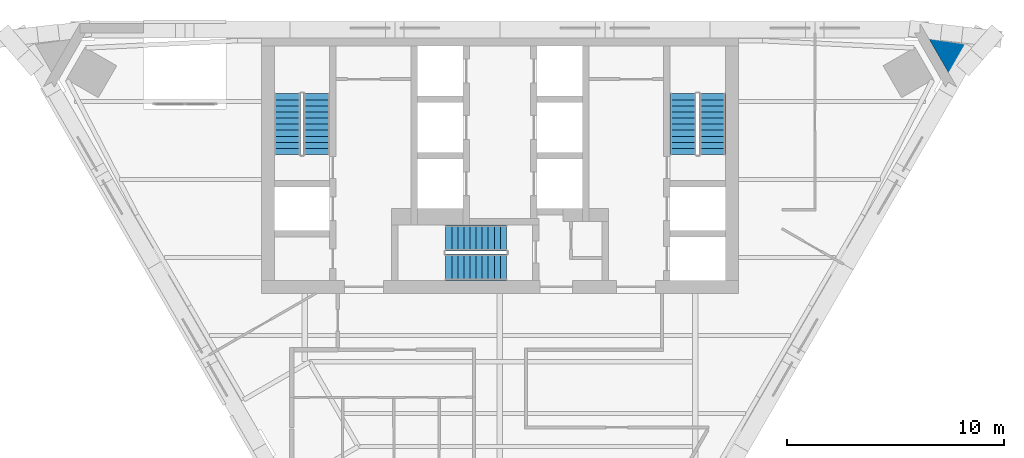
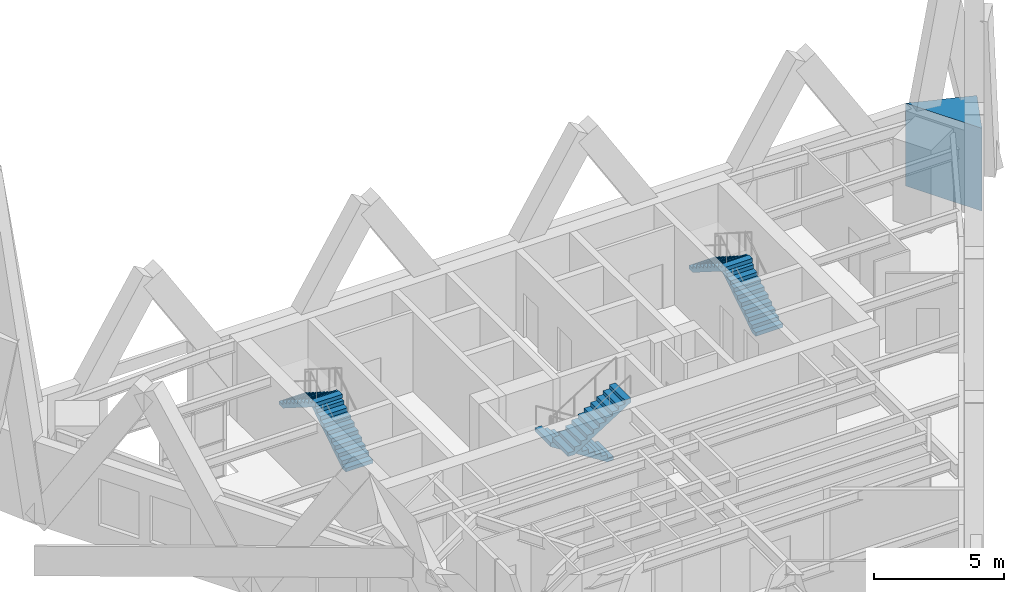
# One storey, part 7 of 9: 6 stair flights, 1 wall, 3 elements without a shape of their own.
"""IFC4 building model written with IfcOpenShell, lengths in metres."""

from ifc_helpers import new_model, si_unit, direction, frame, origin, place, context, subcontext, project, spatial, polyline, outline, extrude, material, layer, layer_set, type_object, element, aggregate, save


model = new_model("IFC4")

# Units and contexts
model_context = context("Model", 3, precision=1e-05, world=origin(), true_north=direction((0.0, 1.0)))
body_context = subcontext(model_context, "Body", "Model", "MODEL_VIEW")
ifc_project = project(units=[si_unit("LENGTHUNIT", "METRE"), si_unit("AREAUNIT", "SQUARE_METRE"), si_unit("VOLUMEUNIT", "CUBIC_METRE"), si_unit("PLANEANGLEUNIT", "RADIAN"), si_unit("MASSUNIT", "GRAM", prefix="KILO")], contexts=[model_context])

# Site, building, storey
site_placement = place(None, origin())
site = spatial("IfcSite", under=ifc_project, at=site_placement, CompositionType="ELEMENT")
building_placement = place(site_placement, origin())
building = spatial("IfcBuilding", under=site, at=building_placement, Name="Aloe Facet Convention Tower", CompositionType="ELEMENT")
storey_placement = place(building_placement, frame((0.0, 0.0, 195.800048828125)))
storey = spatial("IfcBuildingStorey", under=building, at=storey_placement, Name="L49", CompositionType="ELEMENT", Elevation=195.800048828125)

# Wall
ifc_material_1 = material(Name="Precast concrete C40/50", Category="concrete")
ifc_layer = layer(ifc_material_1, 3.947998046875)
ifc_layer_set = layer_set([ifc_layer], Name="EV-WALL-SPINE")
wall_type = type_object("IfcWallType", Name="EV-WALL-SPINE", PredefinedType="SOLIDWALL", material=ifc_layer_set)
wall_placement = place(storey_placement, frame((0.0, 0.0, -0.150146484375)))
element("IfcWall", 1, at=wall_placement, inside=storey, type_object=wall_type, Name="SP-NE-L49", PredefinedType="SOLIDWALL", context=body_context, shape_type="SweptSolid", body=[
    extrude(outline(polyline([(101.064697265625, 132.055419921875), (102.005859375, 134.08056640625), (99.364501953125, 135.0), (101.064697265625, 132.055419921875)])), origin(), (0.0, 0.0, 1.0), 3.900146484375),
])

# Stair, stair flights
ifc_material_2 = material(Name="Concrete C50/60", Category="concrete")
stair_type = type_object("IfcStairType", Name="CR-ST-22R", PredefinedType="HALF_TURN_STAIR", material=ifc_material_2)
stair_1_placement = place(storey_placement, origin())
stair_1 = element("IfcStair", 2, at=stair_1_placement, inside=storey, type_object=stair_type, Name="L49 Protected exit stair ST1", PredefinedType="HALF_TURN_STAIR")
ifc_material_3 = material(Name="Concrete C50/60", Category="concrete")
stair_flight_type = type_object("IfcStairFlightType", Name="CR-SFL-22R", PredefinedType="STRAIGHT", material=ifc_material_3)
stair_flight_1_placement = place(storey_placement, frame((71.550048828125, 128.949951171875, 0.0), z_axis=(0.0, 0.0, 1.0), x_axis=(0.0, 1.0, 0.0)))
stair_flight_1 = element("IfcStairFlight", 3, at=stair_flight_1_placement, type_object=stair_flight_type, Name="ST1 flight 1", NumberOfRisers=11, NumberOfTreads=10, PredefinedType="STRAIGHT", RiserHeight=0.177272727, TreadLength=0.28, context=body_context, shape_type="SweptSolid", body=[
    extrude(outline(polyline([(0.0, 0.0), (0.0, 0.17724609375), (0.280029296875, 0.17724609375), (0.280029296875, 0.3544921875), (0.56005859375, 0.3544921875), (0.56005859375, 0.53173828125), (0.840087890625, 0.53173828125), (0.840087890625, 0.708984375), (1.1201171875, 0.708984375), (1.1201171875, 0.886474609375), (1.39990234375, 0.886474609375), (1.39990234375, 1.063720703125), (1.679931640625, 1.063720703125), (1.679931640625, 1.240966796875), (1.9599609375, 1.240966796875), (1.9599609375, 1.418212890625), (2.239990234375, 1.418212890625), (2.239990234375, 1.595458984375), (2.52001953125, 1.595458984375), (2.52001953125, 1.772705078125), (2.800048828125, 1.772705078125), (2.800048828125, 1.949951171875), (2.800048828125, 1.59521484375), (0.2802734375, 0.0), (0.0, 0.0)])), frame((0.0, 0.60009765625, 0.0), z_axis=(0.0, -1.0, 0.0), x_axis=(1.0, 0.0, 0.0)), (0.0, 0.0, 1.0), 1.199951171875),
])
stair_flight_2_placement = place(storey_placement, frame((70.199951171875, 131.75, 1.949951171875), z_axis=(0.0, 0.0, 1.0), x_axis=(0.0, -1.0, 0.0)))
stair_flight_2 = element("IfcStairFlight", 4, at=stair_flight_2_placement, type_object=stair_flight_type, Name="ST1 flight 2", NumberOfRisers=11, NumberOfTreads=10, PredefinedType="STRAIGHT", RiserHeight=0.177272727, TreadLength=0.28, context=body_context, shape_type="SweptSolid", body=[
    extrude(outline(polyline([(0.0, 0.0), (0.0, 0.17724609375), (0.280029296875, 0.17724609375), (0.280029296875, 0.3544921875), (0.56005859375, 0.3544921875), (0.56005859375, 0.53173828125), (0.840087890625, 0.53173828125), (0.840087890625, 0.708984375), (1.1201171875, 0.708984375), (1.1201171875, 0.886474609375), (1.39990234375, 0.886474609375), (1.39990234375, 1.063720703125), (1.679931640625, 1.063720703125), (1.679931640625, 1.240966796875), (1.9599609375, 1.240966796875), (1.9599609375, 1.418212890625), (2.239990234375, 1.418212890625), (2.239990234375, 1.595458984375), (2.52001953125, 1.595458984375), (2.52001953125, 1.772705078125), (2.800048828125, 1.772705078125), (2.800048828125, 1.949951171875), (2.800048828125, 1.59521484375), (0.2802734375, 0.0), (0.0, 0.0)])), frame((0.0, 0.60009765625, 0.0), z_axis=(0.0, -1.0, 0.0), x_axis=(1.0, 0.0, 0.0)), (0.0, 0.0, 1.0), 1.199951171875),
])
aggregate(stair_1, [stair_flight_1, stair_flight_2])

stair_2_placement = place(storey_placement, origin())
stair_2 = element("IfcStair", 5, at=stair_2_placement, inside=storey, type_object=stair_type, Name="L49 Protected exit stair ST2", PredefinedType="HALF_TURN_STAIR")
stair_flight_3_placement = place(storey_placement, frame((89.800048828125, 128.949951171875, 0.0), z_axis=(0.0, 0.0, 1.0), x_axis=(0.0, 1.0, 0.0)))
stair_flight_3 = element("IfcStairFlight", 6, at=stair_flight_3_placement, type_object=stair_flight_type, Name="ST2 flight 1", NumberOfRisers=11, NumberOfTreads=10, PredefinedType="STRAIGHT", RiserHeight=0.177272727, TreadLength=0.28, context=body_context, shape_type="SweptSolid", body=[
    extrude(outline(polyline([(0.0, 0.0), (0.0, 0.17724609375), (0.280029296875, 0.17724609375), (0.280029296875, 0.3544921875), (0.56005859375, 0.3544921875), (0.56005859375, 0.53173828125), (0.840087890625, 0.53173828125), (0.840087890625, 0.708984375), (1.1201171875, 0.708984375), (1.1201171875, 0.886474609375), (1.39990234375, 0.886474609375), (1.39990234375, 1.063720703125), (1.679931640625, 1.063720703125), (1.679931640625, 1.240966796875), (1.9599609375, 1.240966796875), (1.9599609375, 1.418212890625), (2.239990234375, 1.418212890625), (2.239990234375, 1.595458984375), (2.52001953125, 1.595458984375), (2.52001953125, 1.772705078125), (2.800048828125, 1.772705078125), (2.800048828125, 1.949951171875), (2.800048828125, 1.59521484375), (0.2802734375, 0.0), (0.0, 0.0)])), frame((0.0, 0.60009765625, 0.0), z_axis=(0.0, -1.0, 0.0), x_axis=(1.0, 0.0, 0.0)), (0.0, 0.0, 1.0), 1.199951171875),
])
stair_flight_4_placement = place(storey_placement, frame((88.449951171875, 131.75, 1.949951171875), z_axis=(0.0, 0.0, 1.0), x_axis=(0.0, -1.0, 0.0)))
stair_flight_4 = element("IfcStairFlight", 7, at=stair_flight_4_placement, type_object=stair_flight_type, Name="ST2 flight 2", NumberOfRisers=11, NumberOfTreads=10, PredefinedType="STRAIGHT", RiserHeight=0.177272727, TreadLength=0.28, context=body_context, shape_type="SweptSolid", body=[
    extrude(outline(polyline([(0.0, 0.0), (0.0, 0.17724609375), (0.280029296875, 0.17724609375), (0.280029296875, 0.3544921875), (0.56005859375, 0.3544921875), (0.56005859375, 0.53173828125), (0.840087890625, 0.53173828125), (0.840087890625, 0.708984375), (1.1201171875, 0.708984375), (1.1201171875, 0.886474609375), (1.39990234375, 0.886474609375), (1.39990234375, 1.063720703125), (1.679931640625, 1.063720703125), (1.679931640625, 1.240966796875), (1.9599609375, 1.240966796875), (1.9599609375, 1.418212890625), (2.239990234375, 1.418212890625), (2.239990234375, 1.595458984375), (2.52001953125, 1.595458984375), (2.52001953125, 1.772705078125), (2.800048828125, 1.772705078125), (2.800048828125, 1.949951171875), (2.800048828125, 1.59521484375), (0.2802734375, 0.0), (0.0, 0.0)])), frame((0.0, 0.60009765625, 0.0), z_axis=(0.0, -1.0, 0.0), x_axis=(1.0, 0.0, 0.0)), (0.0, 0.0, 1.0), 1.199951171875),
])
aggregate(stair_2, [stair_flight_3, stair_flight_4])

stair_3_placement = place(storey_placement, origin())
stair_3 = element("IfcStair", 8, at=stair_3_placement, inside=storey, type_object=stair_type, Name="L49 Protected exit stair ST3", PredefinedType="HALF_TURN_STAIR")
stair_flight_5_placement = place(storey_placement, frame((80.300048828125, 125.10009765625, 0.0), z_axis=(0.0, 0.0, 1.0), x_axis=(-1.0, 0.0, 0.0)))
stair_flight_5 = element("IfcStairFlight", 9, at=stair_flight_5_placement, type_object=stair_flight_type, Name="ST3 flight 1", NumberOfRisers=11, NumberOfTreads=10, PredefinedType="STRAIGHT", RiserHeight=0.177272727, TreadLength=0.28, context=body_context, shape_type="SweptSolid", body=[
    extrude(outline(polyline([(0.0, 0.0), (0.0, 0.17724609375), (0.280029296875, 0.17724609375), (0.280029296875, 0.3544921875), (0.56005859375, 0.3544921875), (0.56005859375, 0.53173828125), (0.840087890625, 0.53173828125), (0.840087890625, 0.708984375), (1.1201171875, 0.708984375), (1.1201171875, 0.886474609375), (1.39990234375, 0.886474609375), (1.39990234375, 1.063720703125), (1.679931640625, 1.063720703125), (1.679931640625, 1.240966796875), (1.9599609375, 1.240966796875), (1.9599609375, 1.418212890625), (2.239990234375, 1.418212890625), (2.239990234375, 1.595458984375), (2.52001953125, 1.595458984375), (2.52001953125, 1.772705078125), (2.800048828125, 1.772705078125), (2.800048828125, 1.949951171875), (2.800048828125, 1.59521484375), (0.2802734375, 0.0), (0.0, 0.0)])), frame((0.0, 0.60009765625, 0.0), z_axis=(0.0, -1.0, 0.0), x_axis=(1.0, 0.0, 0.0)), (0.0, 0.0, 1.0), 1.199951171875),
])
stair_flight_6_placement = place(storey_placement, frame((77.5, 123.75, 1.949951171875), z_axis=(0.0, 0.0, 1.0), x_axis=(1.0, 0.0, 0.0)))
stair_flight_6 = element("IfcStairFlight", 10, at=stair_flight_6_placement, type_object=stair_flight_type, Name="ST3 flight 2", NumberOfRisers=11, NumberOfTreads=10, PredefinedType="STRAIGHT", RiserHeight=0.177272727, TreadLength=0.28, context=body_context, shape_type="SweptSolid", body=[
    extrude(outline(polyline([(0.0, 0.0), (0.0, 0.17724609375), (0.280029296875, 0.17724609375), (0.280029296875, 0.3544921875), (0.56005859375, 0.3544921875), (0.56005859375, 0.53173828125), (0.840087890625, 0.53173828125), (0.840087890625, 0.708984375), (1.1201171875, 0.708984375), (1.1201171875, 0.886474609375), (1.39990234375, 0.886474609375), (1.39990234375, 1.063720703125), (1.679931640625, 1.063720703125), (1.679931640625, 1.240966796875), (1.9599609375, 1.240966796875), (1.9599609375, 1.418212890625), (2.239990234375, 1.418212890625), (2.239990234375, 1.595458984375), (2.52001953125, 1.595458984375), (2.52001953125, 1.772705078125), (2.800048828125, 1.772705078125), (2.800048828125, 1.949951171875), (2.800048828125, 1.59521484375), (0.2802734375, 0.0), (0.0, 0.0)])), frame((0.0, 0.60009765625, 0.0), z_axis=(0.0, -1.0, 0.0), x_axis=(1.0, 0.0, 0.0)), (0.0, 0.0, 1.0), 1.199951171875),
])
aggregate(stair_3, [stair_flight_5, stair_flight_6])

save(model, "model.ifc")
